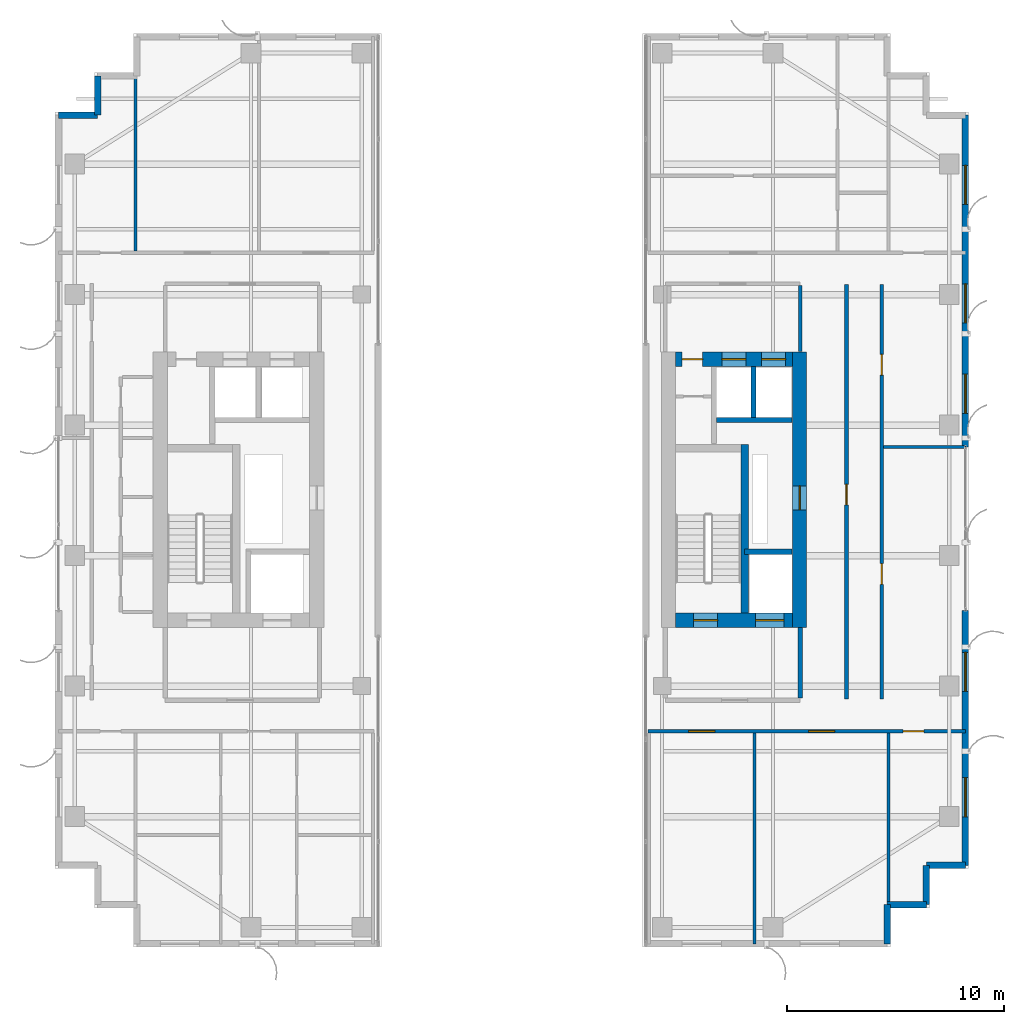
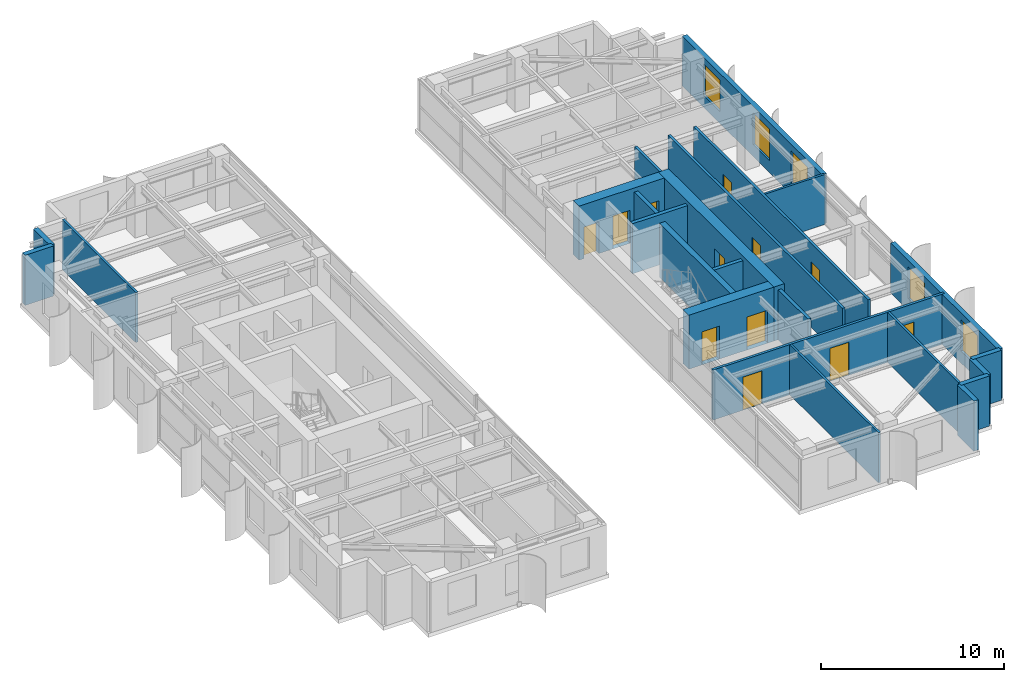
# One storey, part 18 of 22: 24 walls, 12 doors, 5 windows, 17 openings.
"""IFC4 building model written with IfcOpenShell, lengths in metres."""

from ifc_helpers import new_model, si_unit, direction, frame, frame_2d, origin, place, context, subcontext, project, spatial, rectangle, extrude, source, transform, mapped, material, layer, layer_set, type_object, element, fill, save


model = new_model("IFC4")

# Units and contexts
model_context = context("Model", 3, precision=1e-05, world=origin(), true_north=direction((0.0, 1.0)))
body_context = subcontext(model_context, "Body", "Model", "MODEL_VIEW")
ifc_project = project(units=[si_unit("LENGTHUNIT", "METRE"), si_unit("AREAUNIT", "SQUARE_METRE"), si_unit("VOLUMEUNIT", "CUBIC_METRE"), si_unit("PLANEANGLEUNIT", "RADIAN"), si_unit("MASSUNIT", "GRAM", prefix="KILO")], contexts=[model_context])

# Site, building, storey
site_placement = place(None, origin())
site = spatial("IfcSite", under=ifc_project, at=site_placement, CompositionType="ELEMENT")
building_placement = place(site_placement, origin())
building = spatial("IfcBuilding", under=site, at=building_placement, Name="Khoralis Quay Care Tower", CompositionType="ELEMENT")
storey_placement = place(building_placement, frame((0.0, 0.0, 209.699951171875)))
storey = spatial("IfcBuildingStorey", under=building, at=storey_placement, Name="L55", CompositionType="ELEMENT", Elevation=209.699951171875)

# Wall
ifc_material_1 = material(Name="Gypsum plasterboard on acoustic metal stud")
ifc_layer_1 = layer(ifc_material_1, 0.199951171875)
ifc_layer_set_1 = layer_set([ifc_layer_1], Name="Gypsum plasterboard on acoustic metal stud")
wall_type_1 = type_object("IfcWallType", Name="WL-COMP-200", PredefinedType="PARTITIONING", material=ifc_layer_set_1)
wall_1_placement = place(storey_placement, frame((37.25, 11.445068359375, 0.0), z_axis=(0.0, 0.0, 1.0), x_axis=(0.0, 1.0, 0.0)))
element("IfcWall", 1, at=wall_1_placement, inside=storey, type_object=wall_type_1, Name="L55 East Firefighting Lobby East Wall", PredefinedType="PARTITIONING", context=body_context, shape_type="SweptSolid", body=[
    extrude(rectangle(XDim=3.23486328125, YDim=0.199951171875, at=frame_2d((1.617431640625, 0.0))), origin(), (0.0, 0.0, 1.0), 3.340087890625),
])

# Wall, opening, door
ifc_material_2 = material(Name="Concrete C65/80", Category="concrete")
ifc_layer_2 = layer(ifc_material_2, 0.64990234375)
ifc_layer_set_2 = layer_set([ifc_layer_2], Name="Concrete C65/80")
wall_type_2 = type_object("IfcWallType", Name="WL-CORE-650", PredefinedType="SHEAR", material=ifc_layer_set_2)
wall_2_placement = place(storey_placement, frame((37.22509765625, 14.699951171875, 0.0), z_axis=(0.0, 0.0, 1.0), x_axis=(0.0, 1.0, 0.0)))
wall_2 = element("IfcWall", 2, at=wall_2_placement, inside=storey, type_object=wall_type_2, Name="L55 ECORE East Shear Wall", PredefinedType="SHEAR", context=body_context, shape_type="SweptSolid", body=[
    extrude(rectangle(XDim=12.650146484375, YDim=0.64990234375, at=frame_2d((6.3251953125, 0.0))), origin(), (0.0, 0.0, 1.0), 3.60009765625),
])
opening_1_placement = place(wall_2_placement, frame((5.39990234375, 0.0, 0.0)))
opening_1 = element("IfcOpeningElement", 3, at=opening_1_placement, cuts=wall_2, Name="Opening SD1", PredefinedType="OPENING", context=body_context, shape_type="SweptSolid", body=[
    extrude(rectangle(XDim=1.10009765625, YDim=2.199951171875, at=frame_2d((0.550048828125, 1.10009765625))), frame((0.0, 0.3349609375, 0.0), z_axis=(0.0, -1.0, 0.0), x_axis=(1.0, 0.0, 0.0)), (0.0, 0.0, 1.0), 0.669921875),
])
ifc_material_3 = material(Name="Fire-rated painted steel", Category="steel")
door_type_1 = type_object("IfcDoorType", Name="DR-STAIR-1100X2200", OperationType="NOTDEFINED", PredefinedType="DOOR", material=ifc_material_3)
shared_shape_1 = source(origin(), body_context, "Body", "SweptSolid", [
    extrude(rectangle(XDim=1.10009765625, YDim=2.199951171875, at=frame_2d((0.550048828125, 1.10009765625))), frame((0.0, 0.02490234375, 0.0), z_axis=(0.0, -1.0, 0.0), x_axis=(1.0, 0.0, 0.0)), (0.0, 0.0, 1.0), 0.050048828125),
])
door_1_placement = place(opening_1_placement, frame((1.10009765625, 0.0, 0.0), z_axis=(0.0, 0.0, 1.0), x_axis=(-1.0, 0.0, 0.0)))
door_1 = element("IfcDoor", 4, at=door_1_placement, inside=storey, type_object=door_type_1, Name="L55 East MEP Riser Door", OperationType="SINGLE_SWING_RIGHT", OverallHeight=2.199951171875, OverallWidth=1.10009765625, PredefinedType="DOOR", context=body_context, shape_type="MappedRepresentation", body=[
    mapped(shared_shape_1, transform((0.0, 0.0, 0.0), scale=1.0)),
])
fill(opening_1, door_1)

# Wall, openings, doors
wall_3_placement = place(storey_placement, frame((31.52001953125, 15.02490234375, 0.0), z_axis=(0.0, 0.0, 1.0), x_axis=(1.0, 0.0, 0.0)))
wall_3 = element("IfcWall", 5, at=wall_3_placement, inside=storey, type_object=wall_type_2, Name="L55 ECORE South Shear Wall", PredefinedType="SHEAR", context=body_context, shape_type="SweptSolid", body=[
    extrude(rectangle(XDim=5.3798828125, YDim=0.64990234375, at=frame_2d((2.68994140625, 0.0))), origin(), (0.0, 0.0, 1.0), 3.60009765625),
])
opening_2_placement = place(wall_3_placement, frame((0.830078125, 0.0, 0.0)))
opening_2 = element("IfcOpeningElement", 6, at=opening_2_placement, cuts=wall_3, Name="Opening SD1", PredefinedType="OPENING", context=body_context, shape_type="SweptSolid", body=[
    extrude(rectangle(XDim=1.10009765625, YDim=2.199951171875, at=frame_2d((0.550048828125, 1.10009765625))), frame((0.0, 0.3349609375, 0.0), z_axis=(0.0, -1.0, 0.0), x_axis=(1.0, 0.0, 0.0)), (0.0, 0.0, 1.0), 0.669921875),
])
opening_3_placement = place(wall_3_placement, frame((3.679931640625, 0.0, 0.0)))
opening_3 = element("IfcOpeningElement", 7, at=opening_3_placement, cuts=wall_3, Name="Opening LD2", PredefinedType="OPENING", context=body_context, shape_type="SweptSolid", body=[
    extrude(rectangle(XDim=1.300048828125, YDim=2.199951171875, at=frame_2d((0.64990234375, 1.10009765625))), frame((0.0, 0.3349609375, 0.0), z_axis=(0.0, -1.0, 0.0), x_axis=(1.0, 0.0, 0.0)), (0.0, 0.0, 1.0), 0.669921875),
])
door_2_placement = place(opening_2_placement, origin())
door_2 = element("IfcDoor", 8, at=door_2_placement, inside=storey, type_object=door_type_1, Name="L55 Stair ST-T2 Fire Door", OperationType="SINGLE_SWING_RIGHT", OverallHeight=2.199951171875, OverallWidth=1.10009765625, PredefinedType="DOOR", context=body_context, shape_type="MappedRepresentation", body=[
    mapped(shared_shape_1, transform((0.0, 0.0, 0.0), scale=1.0)),
])
fill(opening_2, door_2)
ifc_material_4 = material(Name="Brushed stainless steel", Category="steel")
door_type_2 = type_object("IfcDoorType", Name="DR-LIFT-1300X2200", OperationType="SLIDING_TO_RIGHT", PredefinedType="DOOR", material=ifc_material_4)
shared_shape_2 = source(origin(), body_context, "Body", "SweptSolid", [
    extrude(rectangle(XDim=1.300048828125, YDim=2.199951171875, at=frame_2d((0.64990234375, 1.10009765625))), frame((0.0, 0.02490234375, 0.0), z_axis=(0.0, -1.0, 0.0), x_axis=(1.0, 0.0, 0.0)), (0.0, 0.0, 1.0), 0.050048828125),
])
door_3_placement = place(opening_3_placement, origin())
door_3 = element("IfcDoor", 9, at=door_3_placement, inside=storey, type_object=door_type_2, Name="L55 Firefighting Lift FFL-2 Landing Door", OperationType="SLIDING_TO_RIGHT", OverallHeight=2.199951171875, OverallWidth=1.300048828125, PredefinedType="DOOR", context=body_context, shape_type="MappedRepresentation", body=[
    mapped(shared_shape_2, transform((0.0, 0.0, 0.0), scale=1.0)),
])
fill(opening_3, door_3)

wall_4_placement = place(storey_placement, frame((31.52001953125, 27.02490234375, 0.0), z_axis=(0.0, 0.0, 1.0), x_axis=(1.0, 0.0, 0.0)))
wall_4 = element("IfcWall", 10, at=wall_4_placement, inside=storey, type_object=wall_type_2, Name="L55 ECORE North Shear Wall", PredefinedType="SHEAR", context=body_context, shape_type="SweptSolid", body=[
    extrude(rectangle(XDim=5.3798828125, YDim=0.64990234375, at=frame_2d((2.68994140625, 0.0))), origin(), (0.0, 0.0, 1.0), 3.60009765625),
])
opening_4_placement = place(wall_4_placement, frame((0.300048828125, 0.0, 0.0)))
opening_4 = element("IfcOpeningElement", 11, at=opening_4_placement, cuts=wall_4, Name="Opening ID1", PredefinedType="OPENING", context=body_context, shape_type="SweptSolid", body=[
    extrude(rectangle(XDim=0.949951171875, YDim=2.10009765625, at=frame_2d((0.47509765625, 1.050048828125))), frame((0.0, 0.3349609375, 0.0), z_axis=(0.0, -1.0, 0.0), x_axis=(1.0, 0.0, 0.0)), (0.0, 0.0, 1.0), 0.669921875),
])
opening_5_placement = place(wall_4_placement, frame((2.1298828125, 0.0, 0.0)))
opening_5 = element("IfcOpeningElement", 12, at=opening_5_placement, cuts=wall_4, Name="Opening LD1", PredefinedType="OPENING", context=body_context, shape_type="SweptSolid", body=[
    extrude(rectangle(XDim=1.10009765625, YDim=2.199951171875, at=frame_2d((0.550048828125, 1.10009765625))), frame((0.0, 0.3349609375, 0.0), z_axis=(0.0, -1.0, 0.0), x_axis=(1.0, 0.0, 0.0)), (0.0, 0.0, 1.0), 0.669921875),
])
opening_6_placement = place(wall_4_placement, frame((3.9599609375, 0.0, 0.0)))
opening_6 = element("IfcOpeningElement", 13, at=opening_6_placement, cuts=wall_4, Name="Opening LD1", PredefinedType="OPENING", context=body_context, shape_type="SweptSolid", body=[
    extrude(rectangle(XDim=1.10009765625, YDim=2.199951171875, at=frame_2d((0.550048828125, 1.10009765625))), frame((0.0, 0.3349609375, 0.0), z_axis=(0.0, -1.0, 0.0), x_axis=(1.0, 0.0, 0.0)), (0.0, 0.0, 1.0), 0.669921875),
])
door_type_3 = type_object("IfcDoorType", Name="DR-LIFT-1100X2200", OperationType="SLIDING_TO_LEFT", PredefinedType="DOOR", material=ifc_material_4)
shared_shape_3 = source(origin(), body_context, "Body", "SweptSolid", [
    extrude(rectangle(XDim=1.10009765625, YDim=2.199951171875, at=frame_2d((0.550048828125, 1.10009765625))), frame((0.0, 0.02490234375, 0.0), z_axis=(0.0, -1.0, 0.0), x_axis=(1.0, 0.0, 0.0)), (0.0, 0.0, 1.0), 0.050048828125),
])
door_4_placement = place(opening_5_placement, origin())
door_4 = element("IfcDoor", 14, at=door_4_placement, inside=storey, type_object=door_type_3, Name="L55 Lift PLM2 Landing Door", OperationType="SLIDING_TO_LEFT", OverallHeight=2.199951171875, OverallWidth=1.10009765625, PredefinedType="DOOR", context=body_context, shape_type="MappedRepresentation", body=[
    mapped(shared_shape_3, transform((0.0, 0.0, 0.0), scale=1.0)),
])
fill(opening_5, door_4)
door_5_placement = place(opening_6_placement, origin())
door_5 = element("IfcDoor", 15, at=door_5_placement, inside=storey, type_object=door_type_3, Name="L55 Lift PLH2 Landing Door", OperationType="SLIDING_TO_LEFT", OverallHeight=2.199951171875, OverallWidth=1.10009765625, PredefinedType="DOOR", context=body_context, shape_type="MappedRepresentation", body=[
    mapped(shared_shape_3, transform((0.0, 0.0, 0.0), scale=1.0)),
])
fill(opening_6, door_5)
ifc_material_5 = material(Name="Acoustic hardwood timber", Category="wood")
door_type_4 = type_object("IfcDoorType", Name="DR-ROOM-950X2100", OperationType="NOTDEFINED", PredefinedType="DOOR", material=ifc_material_5)
shared_shape_4 = source(origin(), body_context, "Body", "SweptSolid", [
    extrude(rectangle(XDim=0.949951171875, YDim=2.10009765625, at=frame_2d((0.47509765625, 1.050048828125))), frame((0.0, 0.02490234375, 0.0), z_axis=(0.0, -1.0, 0.0), x_axis=(1.0, 0.0, 0.0)), (0.0, 0.0, 1.0), 0.050048828125),
])
door_6_placement = place(opening_4_placement, frame((0.949951171875, 0.0, 0.0), z_axis=(0.0, 0.0, 1.0), x_axis=(-1.0, 0.0, 0.0)))
door_6 = element("IfcDoor", 16, at=door_6_placement, inside=storey, type_object=door_type_4, Name="L55 Nutrition Store Door", OperationType="SINGLE_SWING_RIGHT", OverallHeight=2.10009765625, OverallWidth=0.949951171875, PredefinedType="DOOR", context=body_context, shape_type="MappedRepresentation", body=[
    mapped(shared_shape_4, transform((0.0, 0.0, 0.0), scale=1.0)),
])
fill(opening_4, door_6)

# Wall
ifc_layer_3 = layer(ifc_material_1, 0.1650390625)
ifc_layer_set_3 = layer_set([ifc_layer_3], Name="Gypsum plasterboard on acoustic metal stud")
wall_type_3 = type_object("IfcWallType", Name="WL-CORR-165", PredefinedType="PARTITIONING", material=ifc_layer_set_3)
wall_5_placement = place(storey_placement, frame((37.25, 27.3701171875, 0.0), z_axis=(0.0, 0.0, 1.0), x_axis=(0.0, 1.0, 0.0)))
element("IfcWall", 17, at=wall_5_placement, inside=storey, type_object=wall_type_3, Name="L55 East Lift Lobby East Wall", PredefinedType="PARTITIONING", context=body_context, shape_type="SweptSolid", body=[
    extrude(rectangle(XDim=3.052490234375, YDim=0.1650390625, at=frame_2d((1.5263671875, 0.0))), origin(), (0.0, 0.0, 1.0), 3.340087890625),
])

# Wall, openings, doors
wall_6_placement = place(storey_placement, frame((30.25, 9.919921875, 0.0), z_axis=(0.0, 0.0, 1.0), x_axis=(1.0, 0.0, 0.0)))
wall_6 = element("IfcWall", 18, at=wall_6_placement, inside=storey, type_object=wall_type_3, Name="L55 East Wing South Corridor Wall", PredefinedType="PARTITIONING", context=body_context, shape_type="SweptSolid", body=[
    extrude(rectangle(XDim=14.60498046875, YDim=0.1650390625, at=frame_2d((7.302490234375, 0.0))), origin(), (0.0, 0.0, 1.0), 3.340087890625),
])
opening_7_placement = place(wall_6_placement, frame((1.875, 0.0, 0.0)))
opening_7 = element("IfcOpeningElement", 19, at=opening_7_placement, cuts=wall_6, Name="Opening FD1", PredefinedType="OPENING", context=body_context, shape_type="SweptSolid", body=[
    extrude(rectangle(XDim=1.199951171875, YDim=2.199951171875, at=frame_2d((0.60009765625, 1.10009765625))), frame((0.0, 0.092529296875, 0.0), z_axis=(0.0, -1.0, 0.0), x_axis=(1.0, 0.0, 0.0)), (0.0, 0.0, 1.0), 0.18505859375),
])
opening_8_placement = place(wall_6_placement, frame((7.385009765625, 0.0, 0.0)))
opening_8 = element("IfcOpeningElement", 20, at=opening_8_placement, cuts=wall_6, Name="Opening FD1", PredefinedType="OPENING", context=body_context, shape_type="SweptSolid", body=[
    extrude(rectangle(XDim=1.199951171875, YDim=2.199951171875, at=frame_2d((0.60009765625, 1.10009765625))), frame((0.0, 0.092529296875, 0.0), z_axis=(0.0, -1.0, 0.0), x_axis=(1.0, 0.0, 0.0)), (0.0, 0.0, 1.0), 0.18505859375),
])
opening_9_placement = place(wall_6_placement, frame((11.735107421875, 0.0, 0.0)))
opening_9 = element("IfcOpeningElement", 21, at=opening_9_placement, cuts=wall_6, Name="Opening ID1", PredefinedType="OPENING", context=body_context, shape_type="SweptSolid", body=[
    extrude(rectangle(XDim=0.949951171875, YDim=2.10009765625, at=frame_2d((0.47509765625, 1.050048828125))), frame((0.0, 0.092529296875, 0.0), z_axis=(0.0, -1.0, 0.0), x_axis=(1.0, 0.0, 0.0)), (0.0, 0.0, 1.0), 0.18505859375),
])
door_type_5 = type_object("IfcDoorType", Name="DR-FFL-1200X2200", OperationType="NOTDEFINED", PredefinedType="DOOR", material=ifc_material_3)
shared_shape_5 = source(origin(), body_context, "Body", "SweptSolid", [
    extrude(rectangle(XDim=1.199951171875, YDim=2.199951171875, at=frame_2d((0.60009765625, 1.10009765625))), frame((0.0, 0.02490234375, 0.0), z_axis=(0.0, -1.0, 0.0), x_axis=(1.0, 0.0, 0.0)), (0.0, 0.0, 1.0), 0.050048828125),
])
door_7_placement = place(opening_7_placement, frame((1.199951171875, 0.0, 0.0), z_axis=(0.0, 0.0, 1.0), x_axis=(-1.0, 0.0, 0.0)))
door_7 = element("IfcDoor", 22, at=door_7_placement, inside=storey, type_object=door_type_5, Name="L55 Resident Communal Day Lounge Door", OperationType="DOUBLE_DOOR_SINGLE_SWING", OverallHeight=2.199951171875, OverallWidth=1.199951171875, PredefinedType="DOOR", context=body_context, shape_type="MappedRepresentation", body=[
    mapped(shared_shape_5, transform((0.0, 0.0, 0.0), scale=1.0)),
])
fill(opening_7, door_7)
door_8_placement = place(opening_8_placement, frame((1.199951171875, 0.0, 0.0), z_axis=(0.0, 0.0, 1.0), x_axis=(-1.0, 0.0, 0.0)))
door_8 = element("IfcDoor", 23, at=door_8_placement, inside=storey, type_object=door_type_5, Name="L55 Resident Communal Day Lounge Door", OperationType="DOUBLE_DOOR_SINGLE_SWING", OverallHeight=2.199951171875, OverallWidth=1.199951171875, PredefinedType="DOOR", context=body_context, shape_type="MappedRepresentation", body=[
    mapped(shared_shape_5, transform((0.0, 0.0, 0.0), scale=1.0)),
])
fill(opening_8, door_8)
door_9_placement = place(opening_9_placement, frame((0.949951171875, 0.0, 0.0), z_axis=(0.0, 0.0, 1.0), x_axis=(-1.0, 0.0, 0.0)))
door_9 = element("IfcDoor", 24, at=door_9_placement, inside=storey, type_object=door_type_4, Name="L55 SE Corner Door", OperationType="SINGLE_SWING_RIGHT", OverallHeight=2.10009765625, OverallWidth=0.949951171875, PredefinedType="DOOR", context=body_context, shape_type="MappedRepresentation", body=[
    mapped(shared_shape_4, transform((0.0, 0.0, 0.0), scale=1.0)),
])
fill(opening_9, door_9)

wall_7_placement = place(storey_placement, frame((41.0, 11.39990234375, 0.0), z_axis=(0.0, 0.0, 1.0), x_axis=(0.0, 1.0, 0.0)))
wall_7 = element("IfcWall", 25, at=wall_7_placement, inside=storey, type_object=wall_type_3, Name="L55 East Gallery Wall", PredefinedType="PARTITIONING", context=body_context, shape_type="SweptSolid", body=[
    extrude(rectangle(XDim=19.050048828125, YDim=0.1650390625, at=frame_2d((9.52490234375, 0.0))), origin(), (0.0, 0.0, 1.0), 3.340087890625),
])
opening_10_placement = place(wall_7_placement, frame((5.27490234375, 0.0, 0.0)))
opening_10 = element("IfcOpeningElement", 26, at=opening_10_placement, cuts=wall_7, Name="Opening ID1", PredefinedType="OPENING", context=body_context, shape_type="SweptSolid", body=[
    extrude(rectangle(XDim=0.949951171875, YDim=2.10009765625, at=frame_2d((0.47509765625, 1.050048828125))), frame((0.0, 0.092529296875, 0.0), z_axis=(0.0, -1.0, 0.0), x_axis=(1.0, 0.0, 0.0)), (0.0, 0.0, 1.0), 0.18505859375),
])
opening_11_placement = place(wall_7_placement, frame((14.89990234375, 0.0, 0.0)))
opening_11 = element("IfcOpeningElement", 27, at=opening_11_placement, cuts=wall_7, Name="Opening ID1", PredefinedType="OPENING", context=body_context, shape_type="SweptSolid", body=[
    extrude(rectangle(XDim=0.949951171875, YDim=2.10009765625, at=frame_2d((0.47509765625, 1.050048828125))), frame((0.0, 0.092529296875, 0.0), z_axis=(0.0, -1.0, 0.0), x_axis=(1.0, 0.0, 0.0)), (0.0, 0.0, 1.0), 0.18505859375),
])
door_10_placement = place(opening_10_placement, origin())
door_10 = element("IfcDoor", 28, at=door_10_placement, inside=storey, type_object=door_type_4, Name="L55 East Waterfront Daylight Lounge Door", OperationType="SINGLE_SWING_LEFT", OverallHeight=2.10009765625, OverallWidth=0.949951171875, PredefinedType="DOOR", context=body_context, shape_type="MappedRepresentation", body=[
    mapped(shared_shape_4, transform((0.0, 0.0, 0.0), scale=1.0)),
])
fill(opening_10, door_10)
door_11_placement = place(opening_11_placement, origin())
door_11 = element("IfcDoor", 29, at=door_11_placement, inside=storey, type_object=door_type_4, Name="L55 East Bay Communal Dining Room Door", OperationType="SINGLE_SWING_RIGHT", OverallHeight=2.10009765625, OverallWidth=0.949951171875, PredefinedType="DOOR", context=body_context, shape_type="MappedRepresentation", body=[
    mapped(shared_shape_4, transform((0.0, 0.0, 0.0), scale=1.0)),
])
fill(opening_11, door_11)

# Wall, opening, door
wall_8_placement = place(storey_placement, frame((39.3798828125, 11.39990234375, 0.0), z_axis=(0.0, 0.0, 1.0), x_axis=(0.0, 1.0, 0.0)))
wall_8 = element("IfcWall", 30, at=wall_8_placement, inside=storey, type_object=wall_type_3, Name="L55 East Inner Clinic Wall", PredefinedType="PARTITIONING", context=body_context, shape_type="SweptSolid", body=[
    extrude(rectangle(XDim=19.050048828125, YDim=0.1650390625, at=frame_2d((9.52490234375, 0.0))), origin(), (0.0, 0.0, 1.0), 3.340087890625),
])
opening_12_placement = place(wall_8_placement, frame((8.925048828125, 0.0, 0.0)))
opening_12 = element("IfcOpeningElement", 31, at=opening_12_placement, cuts=wall_8, Name="Opening ID1", PredefinedType="OPENING", context=body_context, shape_type="SweptSolid", body=[
    extrude(rectangle(XDim=0.949951171875, YDim=2.10009765625, at=frame_2d((0.47509765625, 1.050048828125))), frame((0.0, 0.092529296875, 0.0), z_axis=(0.0, -1.0, 0.0), x_axis=(1.0, 0.0, 0.0)), (0.0, 0.0, 1.0), 0.18505859375),
])
door_12_placement = place(opening_12_placement, frame((0.949951171875, 0.0, 0.0), z_axis=(0.0, 0.0, 1.0), x_axis=(-1.0, 0.0, 0.0)))
door_12 = element("IfcDoor", 32, at=door_12_placement, inside=storey, type_object=door_type_4, Name="L55 East Rehab Therapy Door", OperationType="SINGLE_SWING_LEFT", OverallHeight=2.10009765625, OverallWidth=0.949951171875, PredefinedType="DOOR", context=body_context, shape_type="MappedRepresentation", body=[
    mapped(shared_shape_4, transform((0.0, 0.0, 0.0), scale=1.0)),
])
fill(opening_12, door_12)

# Walls
ifc_material_6 = material(Name="Precast concrete C45/55", Category="concrete")
ifc_layer_4 = layer(ifc_material_6, 0.300048828125)
ifc_layer_set_4 = layer_set([ifc_layer_4], Name="Precast concrete C45/55")
wall_type_4 = type_object("IfcWallType", Name="WL-EXT-REF-300", PredefinedType="SOLIDWALL", material=ifc_layer_set_4)
for number, where, z_axis, x_axis, name in (
    (33, (4.949951171875, 40.050048828125, 0.0), (0.0, 0.0, 1.0), (0.0, -1.0, 0.0), "L55 External Facade Wall WL-EXT-L55-P1-C5"),
    (34, (4.949951171875, 38.25, 0.0), (0.0, 0.0, 1.0), (-1.0, 0.0, 0.0), "L55 External Facade Wall WL-EXT-L55-P1-C6"),
    (35, (41.25, 0.14990234375, 0.0), (0.0, 0.0, 1.0), (0.0, 1.0, 0.0), "L55 External Facade Wall WL-EXT-L55-P2-C1"),
    (36, (41.25, 1.949951171875, 0.0), (0.0, 0.0, 1.0), (1.0, 0.0, 0.0), "L55 External Facade Wall WL-EXT-L55-P2-C2"),
    (37, (43.050048828125, 1.949951171875, 0.0), (0.0, 0.0, 1.0), (0.0, 1.0, 0.0), "L55 External Facade Wall WL-EXT-L55-P2-C3"),
    (38, (43.050048828125, 3.75, 0.0), (0.0, 0.0, 1.0), (1.0, 0.0, 0.0), "L55 External Facade Wall WL-EXT-L55-P2-C4"),
):
    element("IfcWall", number, at=place(storey_placement, frame(where, z_axis=z_axis, x_axis=x_axis)), inside=storey, type_object=wall_type_4, Name=name, PredefinedType="SOLIDWALL", context=body_context, shape_type="SweptSolid", body=[
        extrude(rectangle(XDim=1.800048828125, YDim=0.300048828125, at=frame_2d((0.89990234375, 0.0))), origin(), (0.0, 0.0, 1.0), 3.340087890625),
    ])

# Wall, openings, windows
wall_9_placement = place(storey_placement, frame((44.85009765625, 3.75, 0.0), z_axis=(0.0, 0.0, 1.0), x_axis=(0.0, 1.0, 0.0)))
wall_9 = element("IfcWall", 39, at=wall_9_placement, inside=storey, type_object=wall_type_4, Name="L55 External Facade Wall WL-EXT-L55-P2-E5A", PredefinedType="SOLIDWALL", context=body_context, shape_type="SweptSolid", body=[
    extrude(rectangle(XDim=11.72998046875, YDim=0.300048828125, at=frame_2d((5.864990234375, 0.0))), origin(), (0.0, 0.0, 1.0), 3.340087890625),
])
opening_13_placement = place(wall_9_placement, frame((2.235107421875, 0.0, 0.800048828125)))
opening_13 = element("IfcOpeningElement", 40, at=opening_13_placement, cuts=wall_9, Name="Opening W2", PredefinedType="OPENING", context=body_context, shape_type="SweptSolid", body=[
    extrude(rectangle(XDim=1.800048828125, YDim=2.10009765625, at=frame_2d((0.89990234375, 1.050048828125))), frame((0.0, 0.16015625, 0.0), z_axis=(0.0, -1.0, 0.0), x_axis=(1.0, 0.0, 0.0)), (0.0, 0.0, 1.0), 0.320068359375),
])
opening_14_placement = place(wall_9_placement, frame((8.0, 0.0, 0.800048828125)))
opening_14 = element("IfcOpeningElement", 41, at=opening_14_placement, cuts=wall_9, Name="Opening W2", PredefinedType="OPENING", context=body_context, shape_type="SweptSolid", body=[
    extrude(rectangle(XDim=1.800048828125, YDim=2.10009765625, at=frame_2d((0.89990234375, 1.050048828125))), frame((0.0, 0.16015625, 0.0), z_axis=(0.0, -1.0, 0.0), x_axis=(1.0, 0.0, 0.0)), (0.0, 0.0, 1.0), 0.320068359375),
])
ifc_material_7 = material(Name="Low-E solar-control double glazing", Category="glass")
window_type = type_object("IfcWindowType", Name="WN-POD-1800X2100", PartitioningType="SINGLE_PANEL", PredefinedType="WINDOW", material=ifc_material_7)
shared_shape_6 = source(origin(), body_context, "Body", "SweptSolid", [
    extrude(rectangle(XDim=1.800048828125, YDim=2.10009765625, at=frame_2d((0.89990234375, 1.050048828125))), frame((0.0, 0.030029296875, 0.0), z_axis=(0.0, -1.0, 0.0), x_axis=(1.0, 0.0, 0.0)), (0.0, 0.0, 1.0), 0.06005859375),
])
window_1_placement = place(opening_13_placement, origin())
window_1 = element("IfcWindow", 42, at=window_1_placement, inside=storey, type_object=window_type, Name="WN-L55-P2-E5A Facade Window 01", OverallHeight=2.10009765625, OverallWidth=1.800048828125, PartitioningType="SINGLE_PANEL", PredefinedType="WINDOW", context=body_context, shape_type="MappedRepresentation", body=[
    mapped(shared_shape_6, transform((0.0, 0.0, 0.0), scale=1.0)),
])
fill(opening_13, window_1)
window_2_placement = place(opening_14_placement, origin())
window_2 = element("IfcWindow", 43, at=window_2_placement, inside=storey, type_object=window_type, Name="WN-L55-P2-E5A Facade Window 02", OverallHeight=2.10009765625, OverallWidth=1.800048828125, PartitioningType="SINGLE_PANEL", PredefinedType="WINDOW", context=body_context, shape_type="MappedRepresentation", body=[
    mapped(shared_shape_6, transform((0.0, 0.0, 0.0), scale=1.0)),
])
fill(opening_14, window_2)

wall_10_placement = place(storey_placement, frame((44.85009765625, 23.0, 0.0), z_axis=(0.0, 0.0, 1.0), x_axis=(0.0, 1.0, 0.0)))
wall_10 = element("IfcWall", 44, at=wall_10_placement, inside=storey, type_object=wall_type_4, Name="L55 External Facade Wall WL-EXT-L55-P2-E5B", PredefinedType="SOLIDWALL", context=body_context, shape_type="SweptSolid", body=[
    extrude(rectangle(XDim=15.25, YDim=0.300048828125, at=frame_2d((7.625, 0.0))), origin(), (0.0, 0.0, 1.0), 3.340087890625),
])
opening_15_placement = place(wall_10_placement, frame((1.53759765625, 0.0, 0.800048828125)))
opening_15 = element("IfcOpeningElement", 45, at=opening_15_placement, cuts=wall_10, Name="Opening W2", PredefinedType="OPENING", context=body_context, shape_type="SweptSolid", body=[
    extrude(rectangle(XDim=1.800048828125, YDim=2.10009765625, at=frame_2d((0.89990234375, 1.050048828125))), frame((0.0, 0.16015625, 0.0), z_axis=(0.0, -1.0, 0.0), x_axis=(1.0, 0.0, 0.0)), (0.0, 0.0, 1.0), 0.320068359375),
])
opening_16_placement = place(wall_10_placement, frame((5.6923828125, 0.0, 0.800048828125)))
opening_16 = element("IfcOpeningElement", 46, at=opening_16_placement, cuts=wall_10, Name="Opening W2", PredefinedType="OPENING", context=body_context, shape_type="SweptSolid", body=[
    extrude(rectangle(XDim=1.800048828125, YDim=2.10009765625, at=frame_2d((0.89990234375, 1.050048828125))), frame((0.0, 0.16015625, 0.0), z_axis=(0.0, -1.0, 0.0), x_axis=(1.0, 0.0, 0.0)), (0.0, 0.0, 1.0), 0.320068359375),
])
opening_17_placement = place(wall_10_placement, frame((11.139892578125, 0.0, 0.800048828125)))
opening_17 = element("IfcOpeningElement", 47, at=opening_17_placement, cuts=wall_10, Name="Opening W2", PredefinedType="OPENING", context=body_context, shape_type="SweptSolid", body=[
    extrude(rectangle(XDim=1.800048828125, YDim=2.10009765625, at=frame_2d((0.89990234375, 1.050048828125))), frame((0.0, 0.16015625, 0.0), z_axis=(0.0, -1.0, 0.0), x_axis=(1.0, 0.0, 0.0)), (0.0, 0.0, 1.0), 0.320068359375),
])
window_3_placement = place(opening_15_placement, origin())
window_3 = element("IfcWindow", 48, at=window_3_placement, inside=storey, type_object=window_type, Name="WN-L55-P2-E5B Facade Window 01", OverallHeight=2.10009765625, OverallWidth=1.800048828125, PartitioningType="SINGLE_PANEL", PredefinedType="WINDOW", context=body_context, shape_type="MappedRepresentation", body=[
    mapped(shared_shape_6, transform((0.0, 0.0, 0.0), scale=1.0)),
])
fill(opening_15, window_3)
window_4_placement = place(opening_16_placement, origin())
window_4 = element("IfcWindow", 49, at=window_4_placement, inside=storey, type_object=window_type, Name="WN-L55-P2-E5B Facade Window 02", OverallHeight=2.10009765625, OverallWidth=1.800048828125, PartitioningType="SINGLE_PANEL", PredefinedType="WINDOW", context=body_context, shape_type="MappedRepresentation", body=[
    mapped(shared_shape_6, transform((0.0, 0.0, 0.0), scale=1.0)),
])
fill(opening_16, window_4)
window_5_placement = place(opening_17_placement, origin())
window_5 = element("IfcWindow", 50, at=window_5_placement, inside=storey, type_object=window_type, Name="WN-L55-P2-E5B Facade Window 03", OverallHeight=2.10009765625, OverallWidth=1.800048828125, PartitioningType="SINGLE_PANEL", PredefinedType="WINDOW", context=body_context, shape_type="MappedRepresentation", body=[
    mapped(shared_shape_6, transform((0.0, 0.0, 0.0), scale=1.0)),
])
fill(opening_17, window_5)

# Walls
ifc_material_8 = material(Name="Concrete C40/50", Category="concrete")
ifc_layer_5 = layer(ifc_material_8, 0.35009765625)
ifc_layer_set_5 = layer_set([ifc_layer_5], Name="Concrete C40/50")
wall_type_5 = type_object("IfcWallType", Name="WL-SC-CORE-350", PredefinedType="SHEAR", material=ifc_layer_set_5)
wall_11_placement = place(storey_placement, frame((34.695068359375, 15.35009765625, 0.0), z_axis=(0.0, 0.0, 1.0), x_axis=(0.0, 1.0, 0.0)))
element("IfcWall", 51, at=wall_11_placement, inside=storey, type_object=wall_type_5, Name="L55 Stair ST-T2 Shear Baffle Wall East", PredefinedType="SHEAR", context=body_context, shape_type="SweptSolid", body=[
    extrude(rectangle(XDim=7.75, YDim=0.35009765625, at=frame_2d((3.875, 0.0))), origin(), (0.0, 0.0, 1.0), 3.60009765625),
])
ifc_layer_6 = layer(ifc_material_1, 0.239990234375)
ifc_layer_set_6 = layer_set([ifc_layer_6], Name="Gypsum plasterboard on acoustic metal stud")
wall_type_6 = type_object("IfcWallType", Name="WL-SHAFT-240", PredefinedType="PARTITIONING", material=ifc_layer_set_6)
wall_12_placement = place(storey_placement, frame((34.679931640625, 18.169921875, 0.0), z_axis=(0.0, 0.0, 1.0), x_axis=(1.0, 0.0, 0.0)))
element("IfcWall", 52, at=wall_12_placement, inside=storey, type_object=wall_type_6, Name="L55 FFL-2 Shaft Wall North", PredefinedType="PARTITIONING", context=body_context, shape_type="SweptSolid", body=[
    extrude(rectangle(XDim=2.199951171875, YDim=0.239990234375, at=frame_2d((1.10009765625, 0.0))), origin(), (0.0, 0.0, 1.0), 3.340087890625),
])
wall_13_placement = place(storey_placement, frame((33.405029296875, 24.22998046875, 0.0), z_axis=(0.0, 0.0, 1.0), x_axis=(1.0, 0.0, 0.0)))
element("IfcWall", 53, at=wall_13_placement, inside=storey, type_object=wall_type_6, Name="L55 Active Shaft South Wall East", PredefinedType="PARTITIONING", context=body_context, shape_type="SweptSolid", body=[
    extrude(rectangle(XDim=3.474853515625, YDim=0.239990234375, at=frame_2d((1.7373046875, 0.0))), origin(), (0.0, 0.0, 1.0), 3.340087890625),
])
wall_14_placement = place(storey_placement, frame((35.110107421875, 24.344970703125, 0.0), z_axis=(0.0, 0.0, 1.0), x_axis=(0.0, 1.0, 0.0)))
element("IfcWall", 54, at=wall_14_placement, inside=storey, type_object=wall_type_6, Name="L55 East Shaft Divider 2", PredefinedType="PARTITIONING", context=body_context, shape_type="SweptSolid", body=[
    extrude(rectangle(XDim=2.3349609375, YDim=0.239990234375, at=frame_2d((1.16748046875, 0.0))), origin(), (0.0, 0.0, 1.0), 3.340087890625),
])
ifc_layer_7 = layer(ifc_material_1, 0.139892578125)
ifc_layer_set_7 = layer_set([ifc_layer_7], Name="Gypsum plasterboard on acoustic metal stud")
wall_type_7 = type_object("IfcWallType", Name="WL-UNIT-140", PredefinedType="PARTITIONING", material=ifc_layer_set_7)
wall_15_placement = place(storey_placement, frame((41.077392578125, 23.0, 0.0), z_axis=(0.0, 0.0, 1.0), x_axis=(1.0, 0.0, 0.0)))
element("IfcWall", 55, at=wall_15_placement, inside=storey, type_object=wall_type_7, Name="L55 East Mid Split", PredefinedType="PARTITIONING", context=body_context, shape_type="SweptSolid", body=[
    extrude(rectangle(XDim=3.777587890625, YDim=0.139892578125, at=frame_2d((1.888671875, 0.0))), origin(), (0.0, 0.0, 1.0), 3.340087890625),
])
wall_16_placement = place(storey_placement, frame((6.679931640625, 32.007568359375, 0.0), z_axis=(0.0, 0.0, 1.0), x_axis=(0.0, 1.0, 0.0)))
element("IfcWall", 56, at=wall_16_placement, inside=storey, type_object=wall_type_7, Name="L55 WN Demising Wall 0", PredefinedType="PARTITIONING", context=body_context, shape_type="SweptSolid", body=[
    extrude(rectangle(XDim=8.04736328125, YDim=0.139892578125, at=frame_2d((4.023681640625, 0.0))), origin(), (0.0, 0.0, 1.0), 3.340087890625),
])
wall_17_placement = place(storey_placement, frame((35.14990234375, 0.14501953125, 0.0), z_axis=(0.0, 0.0, 1.0), x_axis=(0.0, 1.0, 0.0)))
element("IfcWall", 57, at=wall_17_placement, inside=storey, type_object=wall_type_7, Name="L55 ES Demising Wall 1", PredefinedType="PARTITIONING", context=body_context, shape_type="SweptSolid", body=[
    extrude(rectangle(XDim=9.697509765625, YDim=0.139892578125, at=frame_2d((4.8486328125, 0.0))), origin(), (0.0, 0.0, 1.0), 3.340087890625),
])
wall_18_placement = place(storey_placement, frame((41.320068359375, 1.945068359375, 0.0), z_axis=(0.0, 0.0, 1.0), x_axis=(0.0, 1.0, 0.0)))
element("IfcWall", 58, at=wall_18_placement, inside=storey, type_object=wall_type_7, Name="L55 ES Demising Wall 2", PredefinedType="PARTITIONING", context=body_context, shape_type="SweptSolid", body=[
    extrude(rectangle(XDim=7.8974609375, YDim=0.139892578125, at=frame_2d((3.94873046875, 0.0))), origin(), (0.0, 0.0, 1.0), 3.340087890625),
])

save(model, "model.ifc")
